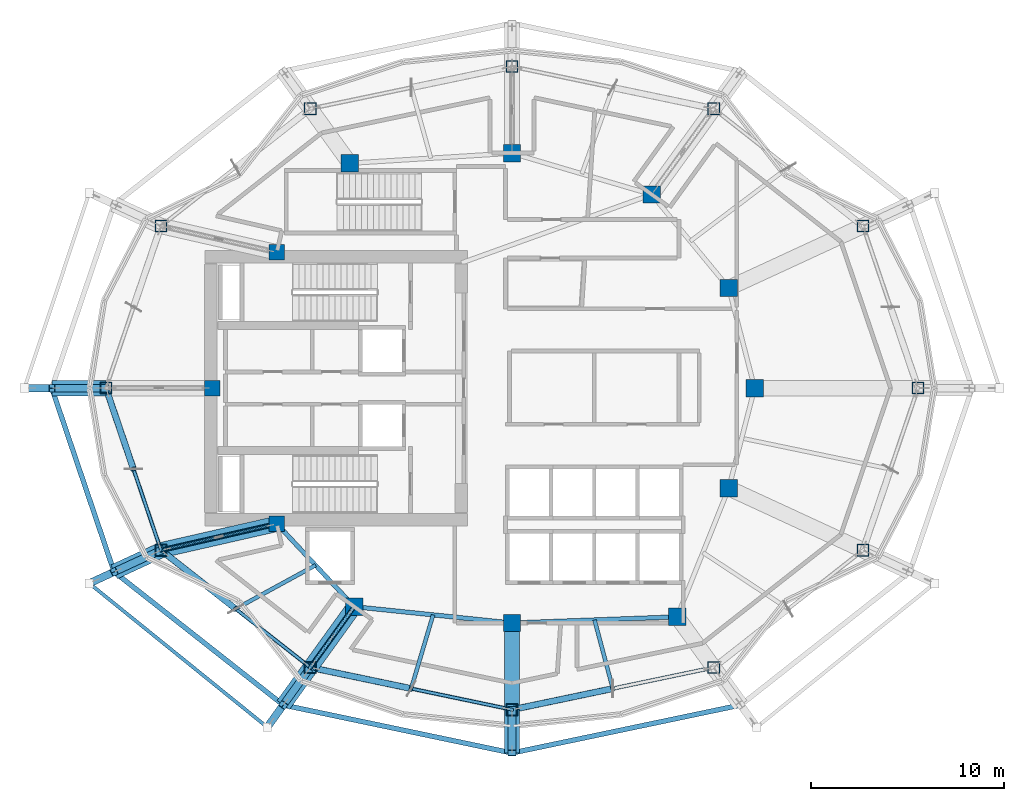
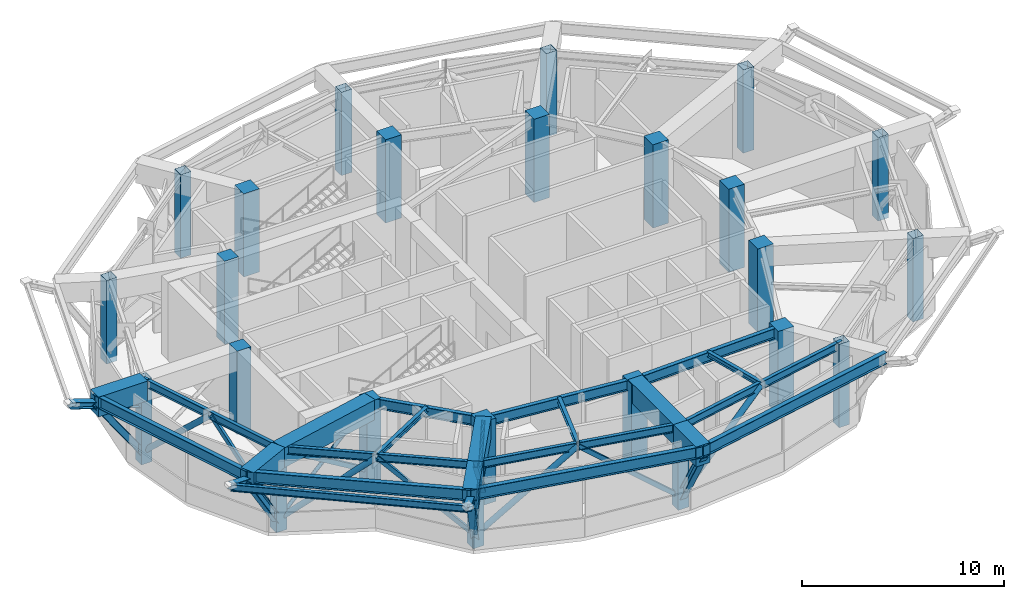
# One storey, part 1 of 13: 24 columns, 22 beams, 20 members.
"""IFC4 building model written with IfcOpenShell, lengths in metres."""

from ifc_helpers import new_model, si_unit, direction, frame, origin, origin_2d, place, context, subcontext, project, spatial, rectangle, hollow_rectangle, hollow_circle, i_section, extrude, material, material_profile, profile_set, type_object, element, save


model = new_model("IFC4")

# Units and contexts
model_context = context("Model", 3, precision=1e-05, world=origin(), true_north=direction((0.0, 1.0)))
body_context = subcontext(model_context, "Body", "Model", "MODEL_VIEW")
ifc_project = project(units=[si_unit("LENGTHUNIT", "METRE"), si_unit("AREAUNIT", "SQUARE_METRE"), si_unit("VOLUMEUNIT", "CUBIC_METRE"), si_unit("PLANEANGLEUNIT", "RADIAN"), si_unit("MASSUNIT", "GRAM", prefix="KILO")], contexts=[model_context])

# Site, building, storey
site_placement = place(None, origin())
site = spatial("IfcSite", under=ifc_project, at=site_placement, CompositionType="ELEMENT")
building_placement = place(site_placement, origin())
building = spatial("IfcBuilding", under=site, at=building_placement, Name="Kolvaren Gate Tower and Convention Centre", CompositionType="ELEMENT")
storey_placement = place(building_placement, frame((0.0, 0.0, 186.89990234375)))
storey = spatial("IfcBuildingStorey", under=building, at=storey_placement, Name="L49", CompositionType="ELEMENT", Elevation=186.89990234375)

# Columns
ifc_material_1 = material(Name="Structural steel ASTM A1085 Grade A 345 MPa", Category="steel")
ifc_material_profile_1 = material_profile(ifc_material_1, hollow_rectangle(XDim=0.610107421875, YDim=0.610107421875, WallThickness=0.025390625, at=origin_2d()), Name="HSS610X610X25.4")
ifc_profile_set_1 = profile_set([ifc_material_profile_1], Name="Structural steel ASTM A1085 Grade A 345 MPa")
column_type_1 = type_object("IfcColumnType", Name="STR-COL-HSS610", PredefinedType="COLUMN", material=ifc_profile_set_1)
for number, where, z_axis, x_axis, name in (
    (1, (51.21240234375, 27.0, -0.31982421875), (0.0, 0.0, 1.0), (1.0, 0.0, 0.0), "Tower L49 Perimeter Supercolumn TP-01"),
    (2, (48.351806640625, 35.418701171875, -0.31982421875), (0.0, 0.0, 1.0), (1.0, 0.0, 0.0), "Tower L49 Perimeter Supercolumn TP-02"),
    (3, (40.596435546875, 41.509521484375, -0.31982421875), (0.0, 0.0, 1.0), (1.0, 0.0, 0.0), "Tower L49 Perimeter Supercolumn TP-03"),
    (4, (30.125, 43.699951171875, -0.31982421875), (0.0, 0.0, 1.0), (1.0, 0.0, 0.0), "Tower L49 Perimeter Supercolumn TP-04"),
    (5, (19.65380859375, 41.509521484375, -0.31982421875), (0.0, 0.0, 1.0), (1.0, 0.0, 0.0), "Tower L49 Perimeter Supercolumn TP-05"),
    (6, (11.898193359375, 35.418701171875, -0.31982421875), (0.0, 0.0, 1.0), (1.0, 0.0, 0.0), "Tower L49 Perimeter Supercolumn TP-06"),
    (7, (9.03759765625, 27.0, -0.31982421875), (0.0, 0.0, 1.0), (1.0, 0.0, 0.0), "Tower L49 Perimeter Supercolumn TP-07"),
    (8, (11.898193359375, 18.581298828125, -0.31982421875), (0.0, 0.0, 1.0), (1.0, 0.0, 0.0), "Tower L49 Perimeter Supercolumn TP-08"),
    (9, (19.653564453125, 12.490478515625, -0.31982421875), (0.0, 0.0, 1.0), (1.0, 0.0, 0.0), "Tower L49 Perimeter Supercolumn TP-09"),
    (10, (30.125, 10.300048828125, -0.31982421875), (0.0, 0.0, 1.0), (1.0, 0.0, 0.0), "Tower L49 Perimeter Supercolumn TP-10"),
    (11, (40.596435546875, 12.490478515625, -0.31982421875), (0.0, 0.0, 1.0), (1.0, 0.0, 0.0), "Tower L49 Perimeter Supercolumn TP-11"),
    (12, (48.351806640625, 18.581298828125, -0.31982421875), (0.0, 0.0, 1.0), (1.0, 0.0, 0.0), "Tower L49 Perimeter Supercolumn TP-12"),
):
    element("IfcColumn", number, at=place(storey_placement, frame(where, z_axis=z_axis, x_axis=x_axis)), inside=storey, type_object=column_type_1, Name=name, PredefinedType="COLUMN", context=body_context, shape_type="SweptSolid", body=[
        extrude(hollow_rectangle(XDim=0.610107421875, YDim=0.610107421875, WallThickness=0.025390625, at=origin_2d()), origin(), (0.0, 0.0, 1.0), 5.0400390625),
    ])
ifc_material_2 = material(Name="Concrete C60/75", Category="concrete")
ifc_material_profile_2 = material_profile(ifc_material_2, rectangle(XDim=0.89990234375, YDim=0.89990234375, at=origin_2d()), Name="RC-COL-900X900")
ifc_profile_set_2 = profile_set([ifc_material_profile_2], Name="Concrete C60/75")
column_type_2 = type_object("IfcColumnType", Name="STR-COL-RC900", PredefinedType="COLUMN", material=ifc_profile_set_2)
for number, where, z_axis, x_axis, name in (
    (13, (42.72509765625, 27.0, -0.31982421875), (0.0, 0.0, 1.0), (1.0, 0.0, 0.0), "Tower L49 Interior Column TI-01"),
    (14, (41.382080078125, 32.199462890625, -0.31982421875), (0.0, 0.0, 1.0), (1.0, 0.0, 0.0), "Tower L49 Interior Column TI-02"),
    (15, (37.381591796875, 37.054931640625, -0.31982421875), (0.0, 0.0, 1.0), (1.0, 0.0, 0.0), "Tower L49 Interior Column TI-03"),
    (16, (30.125, 39.199951171875, -0.31982421875), (0.0, 0.0, 1.0), (1.0, 0.0, 0.0), "Tower L49 Interior Column TI-04"),
    (17, (21.697998046875, 38.6767578125, -0.31982421875), (0.0, 0.0, 1.0), (1.0, 0.0, 0.0), "Tower L49 Interior Column TI-05"),
    (18, (21.93212890625, 15.647705078125, -0.31982421875), (0.0, 0.0, 1.0), (1.0, 0.0, 0.0), "Tower L49 Interior Column TI-06"),
    (19, (30.125, 14.800048828125, -0.31982421875), (0.0, 0.0, 1.0), (1.0, 0.0, 0.0), "Tower L49 Interior Column TI-07"),
    (20, (38.6982421875, 15.12060546875, -0.31982421875), (0.0, 0.0, 1.0), (1.0, 0.0, 0.0), "Tower L49 Interior Column TI-08"),
    (21, (41.382080078125, 21.800537109375, -0.31982421875), (0.0, 0.0, 1.0), (1.0, 0.0, 0.0), "Tower L49 Interior Column TI-09"),
):
    element("IfcColumn", number, at=place(storey_placement, frame(where, z_axis=z_axis, x_axis=x_axis)), inside=storey, type_object=column_type_2, Name=name, PredefinedType="COLUMN", context=body_context, shape_type="SweptSolid", body=[
        extrude(rectangle(XDim=0.89990234375, YDim=0.89990234375, at=origin_2d()), origin(), (0.0, 0.0, 1.0), 5.0400390625),
    ])
ifc_material_profile_3 = material_profile(ifc_material_2, rectangle(XDim=0.800048828125, YDim=0.800048828125, at=origin_2d()), Name="RC-COL-800X800")
ifc_profile_set_3 = profile_set([ifc_material_profile_3], Name="Concrete C60/75")
column_type_3 = type_object("IfcColumnType", Name="STR-PIL-RC800", PredefinedType="PILASTER", material=ifc_profile_set_3)
for number, where, z_axis, x_axis, name in (
    (22, (17.9140625, 34.050048828125, -0.31982421875), (0.0, 0.0, 1.0), (1.0, 0.0, 0.0), "Tower L49 Core Boundary Pilaster TC-05"),
    (23, (14.550048828125, 27.0, -0.31982421875), (0.0, 0.0, 1.0), (1.0, 0.0, 0.0), "Tower L49 Core Boundary Pilaster TC-06"),
    (24, (17.9140625, 19.949951171875, -0.31982421875), (0.0, 0.0, 1.0), (1.0, 0.0, 0.0), "Tower L49 Core Boundary Pilaster TC-07"),
):
    element("IfcColumn", number, at=place(storey_placement, frame(where, z_axis=z_axis, x_axis=x_axis)), inside=storey, type_object=column_type_3, Name=name, PredefinedType="PILASTER", context=body_context, shape_type="SweptSolid", body=[
        extrude(rectangle(XDim=0.800048828125, YDim=0.800048828125, at=origin_2d()), origin(), (0.0, 0.0, 1.0), 5.0400390625),
    ])

# Beams
ifc_material_3 = material(Name="Structural steel ASTM A992 Grade 345 MPa", Category="steel")
ifc_material_profile_4 = material_profile(ifc_material_3, i_section(OverallWidth=0.22998046875, OverallDepth=0.616943359375, WebThickness=0.01318359375, FlangeThickness=0.022216796875, at=origin_2d()), Name="W610X140")
ifc_profile_set_4 = profile_set([ifc_material_profile_4], Name="Structural steel ASTM A992 Grade 345 MPa")
beam_type_1 = type_object("IfcBeamType", Name="STR-BM-W610X140", PredefinedType="BEAM", material=ifc_profile_set_4)
beam_1_placement = place(storey_placement, frame((17.9140625, 19.949951171875, 4.41162109375), z_axis=(0.682557592987, -0.730831808459, 0.0), x_axis=(0.730831808459, 0.682557592987, 0.0)))
element("IfcBeam", 25, at=beam_1_placement, inside=storey, type_object=beam_type_1, Name="Tower L49 Primary Ring Girder G-06", PredefinedType="BEAM", context=body_context, shape_type="SweptSolid", body=[
    extrude(i_section(OverallWidth=0.22998046875, OverallDepth=0.616943359375, WebThickness=0.01318359375, FlangeThickness=0.022216796875, at=origin_2d()), origin(), (0.0, 0.0, 1.0), 5.88671875),
])
beam_2_placement = place(storey_placement, frame((21.93212890625, 15.647705078125, 4.41162109375), z_axis=(0.994690329115, -0.102913308978, 0.0), x_axis=(0.102913308978, 0.994690329115, 0.0)))
element("IfcBeam", 26, at=beam_2_placement, inside=storey, type_object=beam_type_1, Name="Tower L49 Primary Ring Girder G-07", PredefinedType="BEAM", context=body_context, shape_type="SweptSolid", body=[
    extrude(i_section(OverallWidth=0.22998046875, OverallDepth=0.616943359375, WebThickness=0.01318359375, FlangeThickness=0.022216796875, at=origin_2d()), origin(), (0.0, 0.0, 1.0), 8.236572265625),
])
beam_3_placement = place(storey_placement, frame((30.125, 14.800048828125, 4.41162109375), z_axis=(0.999301712453, 0.037364254142, 0.0), x_axis=(-0.037364254142, 0.999301712453, 0.0)))
element("IfcBeam", 27, at=beam_3_placement, inside=storey, type_object=beam_type_1, Name="Tower L49 Primary Ring Girder G-08", PredefinedType="BEAM", context=body_context, shape_type="SweptSolid", body=[
    extrude(i_section(OverallWidth=0.22998046875, OverallDepth=0.616943359375, WebThickness=0.01318359375, FlangeThickness=0.022216796875, at=origin_2d()), origin(), (0.0, 0.0, 1.0), 8.579345703125),
])
ifc_material_profile_5 = material_profile(ifc_material_3, i_section(OverallWidth=0.256103515625, OverallDepth=0.693115234375, WebThickness=0.014404296875, FlangeThickness=0.023681640625, at=origin_2d()), Name="W690X170")
ifc_profile_set_5 = profile_set([ifc_material_profile_5], Name="Structural steel ASTM A992 Grade 345 MPa")
beam_type_2 = type_object("IfcBeamType", Name="STR-BM-W690X170", PredefinedType="BEAM", material=ifc_profile_set_5)
beam_4_placement = place(storey_placement, frame((6.22509765625, 27.0, 4.37353515625), z_axis=(0.321252507379, -0.946993572577, 0.0), x_axis=(0.946993572577, 0.321252507379, 0.0)))
element("IfcBeam", 28, at=beam_4_placement, inside=storey, type_object=beam_type_2, Name="Tower L49 Flare Perimeter Edge Girder FSP-07", PredefinedType="BEAM", context=body_context, shape_type="SweptSolid", body=[
    extrude(i_section(OverallWidth=0.256103515625, OverallDepth=0.693115234375, WebThickness=0.014404296875, FlangeThickness=0.023681640625, at=origin_2d()), origin(), (0.0, 0.0, 1.0), 10.077880859375),
])
beam_5_placement = place(storey_placement, frame((9.462646484375, 17.456298828125, 4.37353515625), z_axis=(0.78579365551, -0.618488747643, 0.0), x_axis=(0.618488747643, 0.78579365551, 0.0)))
element("IfcBeam", 29, at=beam_5_placement, inside=storey, type_object=beam_type_2, Name="Tower L49 Flare Perimeter Edge Girder FSP-08", PredefinedType="BEAM", context=body_context, shape_type="SweptSolid", body=[
    extrude(i_section(OverallWidth=0.256103515625, OverallDepth=0.693115234375, WebThickness=0.014404296875, FlangeThickness=0.023681640625, at=origin_2d()), origin(), (0.0, 0.0, 1.0), 11.179443359375),
])
for number, where, z_axis, x_axis, name in (
    (30, (18.247314453125, 10.5419921875, 4.37353515625), (0.978692765917, -0.205330148645, 0.0), (0.205330148645, 0.978692765917, 0.0), "Tower L49 Flare Perimeter Edge Girder FSP-09"),
    (31, (30.125, 8.050048828125, 4.37353515625), (0.978692765917, 0.205330148645, 0.0), (-0.205330148645, 0.978692765917, 0.0), "Tower L49 Flare Perimeter Edge Girder FSP-10"),
):
    element("IfcBeam", number, at=place(storey_placement, frame(where, z_axis=z_axis, x_axis=x_axis)), inside=storey, type_object=beam_type_2, Name=name, PredefinedType="BEAM", context=body_context, shape_type="SweptSolid", body=[
        extrude(i_section(OverallWidth=0.256103515625, OverallDepth=0.693115234375, WebThickness=0.014404296875, FlangeThickness=0.023681640625, at=origin_2d()), origin(), (0.0, 0.0, 1.0), 12.13623046875),
    ])

# Members
ifc_material_4 = material(Name="Structural steel ASTM A500 Grade C 345 MPa", Category="steel")
ifc_material_profile_6 = material_profile(ifc_material_4, hollow_circle(Radius=0.162109375, WallThickness=0.015869140625, at=origin_2d()), Name="CHS324X15.9")
ifc_profile_set_6 = profile_set([ifc_material_profile_6], Name="Structural steel ASTM A500 Grade C 345 MPa")
member_type_1 = type_object("IfcMemberType", Name="STR-BR-CHS324", PredefinedType="BRACE", material=ifc_profile_set_6)
member_1_placement = place(storey_placement, frame((9.03759765625, 27.0, 0.25), z_axis=(0.232953891756, -0.6855023123, 0.689796393254), x_axis=(0.946821940386, 0.321758004102, 0.0)))
element("IfcMember", 32, at=member_1_placement, inside=storey, type_object=member_type_1, Name="Perimeter Belt Truss Diagonal BT-L49-07A", PredefinedType="BRACE", context=body_context, shape_type="SweptSolid", body=[
    extrude(hollow_circle(Radius=0.162109375, WallThickness=0.015869140625, at=origin_2d()), origin(), (0.0, 0.0, 1.0), 6.140380859375),
])
member_2_placement = place(storey_placement, frame((11.898193359375, 18.581298828125, 0.25), z_axis=(0.596558258833, -0.468517768727, 0.65162055232), x_axis=(0.617653154697, 0.786450621777, 0.0)))
element("IfcMember", 33, at=member_2_placement, inside=storey, type_object=member_type_1, Name="Perimeter Belt Truss Diagonal BT-L49-08A", PredefinedType="BRACE", context=body_context, shape_type="SweptSolid", body=[
    extrude(hollow_circle(Radius=0.162109375, WallThickness=0.015869140625, at=origin_2d()), origin(), (0.0, 0.0, 1.0), 6.5),
])
member_3_placement = place(storey_placement, frame((19.653564453125, 12.490478515625, 0.25), z_axis=(0.767377133118, -0.160517290831, 0.620778974283), x_axis=(0.204745195671, 0.978815306812, 0.0)))
element("IfcMember", 34, at=member_3_placement, inside=storey, type_object=member_type_1, Name="Perimeter Belt Truss Diagonal BT-L49-09A", PredefinedType="BRACE", context=body_context, shape_type="SweptSolid", body=[
    extrude(hollow_circle(Radius=0.162109375, WallThickness=0.015869140625, at=origin_2d()), origin(), (0.0, 0.0, 1.0), 6.822998046875),
])
member_4_placement = place(storey_placement, frame((30.125, 10.300048828125, 0.25), z_axis=(0.767362421445, 0.160521698419, 0.620796020035), x_axis=(-0.204754342865, 0.978813393389, 0.0)))
element("IfcMember", 35, at=member_4_placement, inside=storey, type_object=member_type_1, Name="Perimeter Belt Truss Diagonal BT-L49-10A", PredefinedType="BRACE", context=body_context, shape_type="SweptSolid", body=[
    extrude(hollow_circle(Radius=0.162109375, WallThickness=0.015869140625, at=origin_2d()), origin(), (0.0, 0.0, 1.0), 6.82275390625),
])
ifc_material_profile_7 = material_profile(ifc_material_4, hollow_rectangle(XDim=0.152099609375, YDim=0.25390625, WallThickness=0.009521484375, at=origin_2d()), Name="HSS254X152X9.5")
ifc_profile_set_7 = profile_set([ifc_material_profile_7], Name="Structural steel ASTM A500 Grade C 345 MPa")
member_type_2 = type_object("IfcMemberType", Name="STR-BR-HSS254X152", PredefinedType="BRACE", material=ifc_profile_set_7)
member_5_placement = place(storey_placement, frame((11.898193359375, 18.581298828125, 0.25), z_axis=(-0.232909940592, 0.685529736374, 0.689783980765), x_axis=(-0.946844353058, -0.321692043859, 0.0)))
element("IfcMember", 36, at=member_5_placement, inside=storey, type_object=member_type_2, Name="Perimeter Belt Truss Diagonal BT-L49-07B", PredefinedType="BRACE", context=body_context, shape_type="SweptSolid", body=[
    extrude(hollow_rectangle(XDim=0.152099609375, YDim=0.25390625, WallThickness=0.009521484375, at=origin_2d()), origin(), (0.0, 0.0, 1.0), 6.140380859375),
])
member_6_placement = place(storey_placement, frame((19.653564453125, 12.490478515625, 0.25), z_axis=(-0.596558258833, 0.468517768727, 0.65162055232), x_axis=(-0.617653154697, -0.786450621777, 0.0)))
element("IfcMember", 37, at=member_6_placement, inside=storey, type_object=member_type_2, Name="Perimeter Belt Truss Diagonal BT-L49-08B", PredefinedType="BRACE", context=body_context, shape_type="SweptSolid", body=[
    extrude(hollow_rectangle(XDim=0.152099609375, YDim=0.25390625, WallThickness=0.009521484375, at=origin_2d()), origin(), (0.0, 0.0, 1.0), 6.5),
])
member_7_placement = place(storey_placement, frame((30.125, 10.300048828125, 0.25), z_axis=(-0.767362421445, 0.160521698419, 0.620796020035), x_axis=(-0.204754342865, -0.978813393389, 0.0)))
element("IfcMember", 38, at=member_7_placement, inside=storey, type_object=member_type_2, Name="Perimeter Belt Truss Diagonal BT-L49-09B", PredefinedType="BRACE", context=body_context, shape_type="SweptSolid", body=[
    extrude(hollow_rectangle(XDim=0.152099609375, YDim=0.25390625, WallThickness=0.009521484375, at=origin_2d()), origin(), (0.0, 0.0, 1.0), 6.82275390625),
])
ifc_material_profile_8 = material_profile(ifc_material_4, hollow_rectangle(XDim=0.25390625, YDim=0.25390625, WallThickness=0.015869140625, at=origin_2d()), Name="HSS254X254X15.9")
ifc_profile_set_8 = profile_set([ifc_material_profile_8], Name="Structural steel ASTM A500 Grade C 345 MPa")
member_type_3 = type_object("IfcMemberType", Name="STR-BR-HSS254X254", PredefinedType="BRACE", material=ifc_profile_set_8)
member_8_placement = place(storey_placement, frame((17.9140625, 19.949951171875, 0.25), z_axis=(-0.803874458901, -0.182887066945, 0.565984253377), x_axis=(0.221838314226, -0.975083464295, 0.0)))
element("IfcMember", 39, at=member_8_placement, inside=storey, type_object=member_type_3, Name="Outrigger Truss Diagonal OT-L49-03A", PredefinedType="BRACE", context=body_context, shape_type="SweptSolid", body=[
    extrude(hollow_rectangle(XDim=0.25390625, YDim=0.25390625, WallThickness=0.015869140625, at=origin_2d()), origin(), (0.0, 0.0, 1.0), 7.483642578125),
])
member_9_placement = place(storey_placement, frame((21.93212890625, 15.647705078125, 0.25), z_axis=(-0.39604630546, -0.548770044166, 0.736205652354), x_axis=(0.810880899672, -0.585211215329, 0.0)))
element("IfcMember", 40, at=member_9_placement, inside=storey, type_object=member_type_3, Name="Outrigger Truss Diagonal OT-L49-06A", PredefinedType="BRACE", context=body_context, shape_type="SweptSolid", body=[
    extrude(hollow_rectangle(XDim=0.25390625, YDim=0.25390625, WallThickness=0.015869140625, at=origin_2d()), origin(), (0.0, 0.0, 1.0), 5.753173828125),
])
ifc_material_profile_9 = material_profile(ifc_material_3, i_section(OverallWidth=0.39501953125, OverallDepth=0.3798828125, WebThickness=0.018798828125, FlangeThickness=0.0302734375, at=origin_2d()), Name="W360X237")
ifc_profile_set_9 = profile_set([ifc_material_profile_9], Name="Structural steel ASTM A992 Grade 345 MPa")
member_type_4 = type_object("IfcMemberType", Name="STR-CH-W360X237", PredefinedType="CHORD", material=ifc_profile_set_9)
member_10_placement = place(storey_placement, frame((9.03759765625, 27.0, 0.10009765625), z_axis=(-0.573255263765, 0.0, 0.819376837948), x_axis=(0.0, -1.0, 0.0)))
element("IfcMember", 41, at=member_10_placement, inside=storey, type_object=member_type_4, Name="Waist Flare Inclined Transfer Strut FTS-07", PredefinedType="CHORD", context=body_context, shape_type="SweptSolid", body=[
    extrude(i_section(OverallWidth=0.39501953125, OverallDepth=0.3798828125, WebThickness=0.018798828125, FlangeThickness=0.0302734375, at=origin_2d()), origin(), (0.0, 0.0, 1.0), 4.90625),
])
member_11_placement = place(storey_placement, frame((11.898193359375, 18.581298828125, 0.10009765625), z_axis=(-0.503939045446, -0.232773769187, 0.831782309774), x_axis=(0.41933515781, -0.907831496162, 0.0)))
element("IfcMember", 42, at=member_11_placement, inside=storey, type_object=member_type_4, Name="Waist Flare Inclined Transfer Strut FTS-08", PredefinedType="CHORD", context=body_context, shape_type="SweptSolid", body=[
    extrude(i_section(OverallWidth=0.39501953125, OverallDepth=0.3798828125, WebThickness=0.018798828125, FlangeThickness=0.0302734375, at=origin_2d()), origin(), (0.0, 0.0, 1.0), 4.8330078125),
])
member_12_placement = place(storey_placement, frame((19.653564453125, 12.490478515625, 0.10009765625), z_axis=(-0.30025948463, -0.416036622713, 0.858345950332), x_axis=(0.810874759264, -0.585219723513, 0.0)))
element("IfcMember", 43, at=member_12_placement, inside=storey, type_object=member_type_4, Name="Waist Flare Inclined Transfer Strut FTS-09", PredefinedType="CHORD", context=body_context, shape_type="SweptSolid", body=[
    extrude(i_section(OverallWidth=0.39501953125, OverallDepth=0.3798828125, WebThickness=0.018798828125, FlangeThickness=0.0302734375, at=origin_2d()), origin(), (0.0, 0.0, 1.0), 4.683349609375),
])
member_13_placement = place(storey_placement, frame((30.125, 10.300048828125, 0.10009765625), z_axis=(0.0, -0.488403252613, 0.872618050946), x_axis=(1.0, 0.0, 0.0)))
element("IfcMember", 44, at=member_13_placement, inside=storey, type_object=member_type_4, Name="Waist Flare Inclined Transfer Strut FTS-10", PredefinedType="CHORD", context=body_context, shape_type="SweptSolid", body=[
    extrude(i_section(OverallWidth=0.39501953125, OverallDepth=0.3798828125, WebThickness=0.018798828125, FlangeThickness=0.0302734375, at=origin_2d()), origin(), (0.0, 0.0, 1.0), 4.60693359375),
])
member_14_placement = place(storey_placement, frame((9.03759765625, 27.0, 3.170166015625), z_axis=(-0.950055194277, 0.0, 0.312081924866), x_axis=(0.0, -1.0, 0.0)))
element("IfcMember", 45, at=member_14_placement, inside=storey, type_object=member_type_4, Name="Tower L50 Planted Balcony Inclined Outrigger Strut BBRK-2B", PredefinedType="CHORD", context=body_context, shape_type="SweptSolid", body=[
    extrude(i_section(OverallWidth=0.39501953125, OverallDepth=0.3798828125, WebThickness=0.018798828125, FlangeThickness=0.0302734375, at=origin_2d()), origin(), (0.0, 0.0, 1.0), 4.455078125),
])
member_15_placement = place(storey_placement, frame((11.898193359375, 18.581298828125, 3.170166015625), z_axis=(-0.85981753301, -0.397107651913, 0.32096623299), x_axis=(0.419292130897, -0.907851369425, 0.0)))
element("IfcMember", 46, at=member_15_placement, inside=storey, type_object=member_type_4, Name="Tower L50 Planted Balcony Inclined Outrigger Strut BBRK-3A", PredefinedType="CHORD", context=body_context, shape_type="SweptSolid", body=[
    extrude(i_section(OverallWidth=0.39501953125, OverallDepth=0.3798828125, WebThickness=0.018798828125, FlangeThickness=0.0302734375, at=origin_2d()), origin(), (0.0, 0.0, 1.0), 4.331787109375),
])
member_16_placement = place(storey_placement, frame((19.653564453125, 12.490478515625, 3.170166015625), z_axis=(-0.549923528754, -0.76207890081, 0.341789206183), x_axis=(0.810914919592, -0.58516407373, 0.0)))
element("IfcMember", 47, at=member_16_placement, inside=storey, type_object=member_type_4, Name="Tower L50 Planted Balcony Inclined Outrigger Strut BBRK-3B", PredefinedType="CHORD", context=body_context, shape_type="SweptSolid", body=[
    extrude(i_section(OverallWidth=0.39501953125, OverallDepth=0.3798828125, WebThickness=0.018798828125, FlangeThickness=0.0302734375, at=origin_2d()), origin(), (0.0, 0.0, 1.0), 4.06787109375),
])

# Beams
ifc_material_profile_10 = material_profile(ifc_material_3, i_section(OverallWidth=0.205078125, OverallDepth=0.31005859375, WebThickness=0.009521484375, FlangeThickness=0.016357421875, at=origin_2d()), Name="W310X74")
ifc_profile_set_10 = profile_set([ifc_material_profile_10], Name="Structural steel ASTM A992 Grade 345 MPa")
beam_type_3 = type_object("IfcBeamType", Name="STR-JS-W310X74", PredefinedType="JOIST", material=ifc_profile_set_10)
beam_6_placement = place(storey_placement, frame((19.923095703125, 17.798828125, 4.565185546875), z_axis=(-0.877822491981, -0.478986088078, 0.0), x_axis=(0.478986088078, -0.877822491981, 0.0)))
element("IfcBeam", 48, at=beam_6_placement, inside=storey, type_object=beam_type_3, Name="Tower L49 Secondary Composite Floor Joist J-08.1", PredefinedType="JOIST", context=body_context, shape_type="SweptSolid", body=[
    extrude(i_section(OverallWidth=0.205078125, OverallDepth=0.31005859375, WebThickness=0.009521484375, FlangeThickness=0.016357421875, at=origin_2d()), origin(), (0.0, 0.0, 1.0), 4.724365234375),
])
beam_7_placement = place(storey_placement, frame((26.028564453125, 15.223876953125, 4.565185546875), z_axis=(-0.28518274301, -0.958473162425, 0.0), x_axis=(0.958473162425, -0.28518274301, 0.0)))
element("IfcBeam", 49, at=beam_7_placement, inside=storey, type_object=beam_type_3, Name="Tower L49 Secondary Composite Floor Joist J-09.1", PredefinedType="JOIST", context=body_context, shape_type="SweptSolid", body=[
    extrude(i_section(OverallWidth=0.205078125, OverallDepth=0.31005859375, WebThickness=0.009521484375, FlangeThickness=0.016357421875, at=origin_2d()), origin(), (0.0, 0.0, 1.0), 3.994384765625),
])
beam_8_placement = place(storey_placement, frame((34.41162109375, 14.960205078125, 4.565185546875), z_axis=(0.257238365181, -0.966347982602, 0.0), x_axis=(0.966347982602, 0.257238365181, 0.0)))
element("IfcBeam", 50, at=beam_8_placement, inside=storey, type_object=beam_type_3, Name="Tower L49 Secondary Composite Floor Joist J-10.1", PredefinedType="JOIST", context=body_context, shape_type="SweptSolid", body=[
    extrude(i_section(OverallWidth=0.205078125, OverallDepth=0.31005859375, WebThickness=0.009521484375, FlangeThickness=0.016357421875, at=origin_2d()), origin(), (0.0, 0.0, 1.0), 3.68896484375),
])
ifc_material_profile_11 = material_profile(ifc_material_3, i_section(OverallWidth=0.180908203125, OverallDepth=0.4169921875, WebThickness=0.010986328125, FlangeThickness=0.018310546875, at=origin_2d()), Name="W410X85")
ifc_profile_set_11 = profile_set([ifc_material_profile_11], Name="Structural steel ASTM A992 Grade 345 MPa")
beam_type_4 = type_object("IfcBeamType", Name="STR-SP-W410X85", PredefinedType="SPANDREL", material=ifc_profile_set_11)
beam_9_placement = place(storey_placement, frame((8.173583984375, 16.861083984375, 4.51220703125), z_axis=(0.777724470528, -0.62860531969, 0.0), x_axis=(0.62860531969, 0.777724470528, 0.0)))
element("IfcBeam", 51, at=beam_9_placement, inside=storey, type_object=beam_type_4, Name="Tower L50 Planted Balcony Header Tie Beam BT-3", PredefinedType="SPANDREL", context=body_context, shape_type="SweptSolid", body=[
    extrude(i_section(OverallWidth=0.180908203125, OverallDepth=0.4169921875, WebThickness=0.010986328125, FlangeThickness=0.018310546875, at=origin_2d()), origin(), (0.0, 0.0, 1.0), 11.884521484375),
])
ifc_material_profile_12 = material_profile(ifc_material_3, i_section(OverallWidth=0.194091796875, OverallDepth=0.468994140625, WebThickness=0.0126953125, FlangeThickness=0.0205078125, at=origin_2d()), Name="W460X106")
ifc_profile_set_12 = profile_set([ifc_material_profile_12], Name="Structural steel ASTM A992 Grade 345 MPa")
beam_type_5 = type_object("IfcBeamType", Name="STR-SP-W460X106", PredefinedType="SPANDREL", material=ifc_profile_set_12)
beam_10_placement = place(storey_placement, frame((9.03759765625, 27.0, 4.485595703125), z_axis=(0.321725023609, -0.946833147489, 0.0), x_axis=(0.946833147489, 0.321725023609, 0.0)))
element("IfcBeam", 52, at=beam_10_placement, inside=storey, type_object=beam_type_5, Name="Tower L49 Perimeter Spandrel Beam SP-07", PredefinedType="SPANDREL", context=body_context, shape_type="SweptSolid", body=[
    extrude(i_section(OverallWidth=0.194091796875, OverallDepth=0.468994140625, WebThickness=0.0126953125, FlangeThickness=0.0205078125, at=origin_2d()), origin(), (0.0, 0.0, 1.0), 8.891357421875),
])
beam_11_placement = place(storey_placement, frame((11.898193359375, 18.581298828125, 4.485595703125), z_axis=(0.786450621777, -0.617653154697, 0.0), x_axis=(0.617653154697, 0.786450621777, 0.0)))
element("IfcBeam", 53, at=beam_11_placement, inside=storey, type_object=beam_type_5, Name="Tower L49 Perimeter Spandrel Beam SP-08", PredefinedType="SPANDREL", context=body_context, shape_type="SweptSolid", body=[
    extrude(i_section(OverallWidth=0.194091796875, OverallDepth=0.468994140625, WebThickness=0.0126953125, FlangeThickness=0.0205078125, at=origin_2d()), origin(), (0.0, 0.0, 1.0), 9.861328125),
])
for number, where, z_axis, x_axis, name in (
    (54, (19.653564453125, 12.490478515625, 4.485595703125), (0.978814350133, -0.204749769168, 0.0), (0.204749769168, 0.978814350133, 0.0), "Tower L49 Perimeter Spandrel Beam SP-09"),
    (55, (30.125, 10.300048828125, 4.485595703125), (0.978814350133, 0.204749769168, 0.0), (-0.204749769168, 0.978814350133, 0.0), "Tower L49 Perimeter Spandrel Beam SP-10"),
):
    element("IfcBeam", number, at=place(storey_placement, frame(where, z_axis=z_axis, x_axis=x_axis)), inside=storey, type_object=beam_type_5, Name=name, PredefinedType="SPANDREL", context=body_context, shape_type="SweptSolid", body=[
        extrude(i_section(OverallWidth=0.194091796875, OverallDepth=0.468994140625, WebThickness=0.0126953125, FlangeThickness=0.0205078125, at=origin_2d()), origin(), (0.0, 0.0, 1.0), 10.697998046875),
    ])

# Members
ifc_material_profile_13 = material_profile(ifc_material_4, hollow_circle(Radius=0.109619140625, WallThickness=0.0126953125, at=origin_2d()), Name="CHS219X12.7")
ifc_profile_set_13 = profile_set([ifc_material_profile_13], Name="Structural steel ASTM A500 Grade C 345 MPa")
member_type_5 = type_object("IfcMemberType", Name="STR-ST-CHS219", PredefinedType="STRUT", material=ifc_profile_set_13)
member_17_placement = place(storey_placement, frame((11.898193359375, 18.581298828125, 0.25), z_axis=(0.803871157684, 0.182878894163, 0.5659915829), x_axis=(-0.221829754783, 0.975085411589, 0.0)))
element("IfcMember", 56, at=member_17_placement, inside=storey, type_object=member_type_5, Name="Outrigger Truss Lower Counter-Strut OT-L49-03BA", PredefinedType="STRUT", context=body_context, shape_type="SweptSolid", body=[
    extrude(hollow_circle(Radius=0.109619140625, WallThickness=0.0126953125, at=origin_2d()), origin(), (0.0, 0.0, 1.0), 3.741943359375),
])
member_18_placement = place(storey_placement, frame((14.90625, 19.265625, 2.367919921875), z_axis=(0.803877760307, 0.182895240434, 0.565976923125), x_axis=(-0.221846874312, 0.975081516776, 0.0)))
element("IfcMember", 57, at=member_18_placement, inside=storey, type_object=member_type_5, Name="Outrigger Truss Upper Counter-Strut OT-L49-03BB", PredefinedType="STRUT", context=body_context, shape_type="SweptSolid", body=[
    extrude(hollow_circle(Radius=0.109619140625, WallThickness=0.0126953125, at=origin_2d()), origin(), (0.0, 0.0, 1.0), 3.74169921875),
])
member_19_placement = place(storey_placement, frame((19.653564453125, 12.490478515625, 0.25), z_axis=(0.396069710224, 0.548743678233, 0.736212713991), x_axis=(-0.810851144638, 0.585252442318, 0.0)))
element("IfcMember", 58, at=member_19_placement, inside=storey, type_object=member_type_5, Name="Outrigger Truss Lower Counter-Strut OT-L49-06BA", PredefinedType="STRUT", context=body_context, shape_type="SweptSolid", body=[
    extrude(hollow_circle(Radius=0.109619140625, WallThickness=0.0126953125, at=origin_2d()), origin(), (0.0, 0.0, 1.0), 2.876708984375),
])
member_20_placement = place(storey_placement, frame((20.79296875, 14.069091796875, 2.367919921875), z_axis=(0.396022897933, 0.548796411924, 0.736198589086), x_axis=(-0.810910654793, 0.585169983802, 0.0)))
element("IfcMember", 59, at=member_20_placement, inside=storey, type_object=member_type_5, Name="Outrigger Truss Upper Counter-Strut OT-L49-06BB", PredefinedType="STRUT", context=body_context, shape_type="SweptSolid", body=[
    extrude(hollow_circle(Radius=0.109619140625, WallThickness=0.0126953125, at=origin_2d()), origin(), (0.0, 0.0, 1.0), 2.87646484375),
])

# Beams
ifc_material_5 = material(Name="Concrete C70/85", Category="concrete")
ifc_material_profile_14 = material_profile(ifc_material_5, rectangle(XDim=0.800048828125, YDim=1.199951171875, at=origin_2d()), Name="RC-BM-800X1200")
ifc_profile_set_14 = profile_set([ifc_material_profile_14], Name="Concrete C70/85")
beam_type_6 = type_object("IfcBeamType", Name="STR-TG-RC800X1200", PredefinedType="USERDEFINED", material=ifc_profile_set_14)
beam_12_placement = place(storey_placement, frame((9.03759765625, 27.0, 4.12060546875), z_axis=(-1.0, 0.0, 0.0), x_axis=(0.0, -1.0, 0.0)))
element("IfcBeam", 60, at=beam_12_placement, inside=storey, type_object=beam_type_6, Name="Tower L49 Zone-Transition Radial Transfer Girder XFG-07B", ObjectType="TRANSFER GIRDER", PredefinedType="USERDEFINED", context=body_context, shape_type="SweptSolid", body=[
    extrude(rectangle(XDim=0.800048828125, YDim=1.199951171875, at=origin_2d()), origin(), (0.0, 0.0, 1.0), 2.8125),
])
beam_13_placement = place(storey_placement, frame((17.9140625, 19.949951171875, 4.12060546875), z_axis=(-0.975083464295, -0.221838314226, 0.0), x_axis=(0.221838314226, -0.975083464295, 0.0)))
element("IfcBeam", 61, at=beam_13_placement, inside=storey, type_object=beam_type_6, Name="Tower L49 Zone-Transition Radial Transfer Girder XFG-08A", ObjectType="TRANSFER GIRDER", PredefinedType="USERDEFINED", context=body_context, shape_type="SweptSolid", body=[
    extrude(rectangle(XDim=0.800048828125, YDim=1.199951171875, at=origin_2d()), origin(), (0.0, 0.0, 1.0), 6.169677734375),
])
beam_14_placement = place(storey_placement, frame((11.898193359375, 18.581298828125, 4.12060546875), z_axis=(-0.907831496162, -0.41933515781, 0.0), x_axis=(0.41933515781, -0.907831496162, 0.0)))
element("IfcBeam", 62, at=beam_14_placement, inside=storey, type_object=beam_type_6, Name="Tower L49 Zone-Transition Radial Transfer Girder XFG-08B", ObjectType="TRANSFER GIRDER", PredefinedType="USERDEFINED", context=body_context, shape_type="SweptSolid", body=[
    extrude(rectangle(XDim=0.800048828125, YDim=1.199951171875, at=origin_2d()), origin(), (0.0, 0.0, 1.0), 2.682861328125),
])
beam_15_placement = place(storey_placement, frame((21.93212890625, 15.647705078125, 4.12060546875), z_axis=(-0.585211215329, -0.810880899672, 0.0), x_axis=(0.810880899672, -0.585211215329, 0.0)))
element("IfcBeam", 63, at=beam_15_placement, inside=storey, type_object=beam_type_6, Name="Tower L49 Zone-Transition Radial Transfer Girder XFG-09A", ObjectType="TRANSFER GIRDER", PredefinedType="USERDEFINED", context=body_context, shape_type="SweptSolid", body=[
    extrude(rectangle(XDim=0.800048828125, YDim=1.199951171875, at=origin_2d()), origin(), (0.0, 0.0, 1.0), 3.8935546875),
])
beam_16_placement = place(storey_placement, frame((19.653564453125, 12.490478515625, 4.12060546875), z_axis=(-0.585219723513, -0.810874759264, 0.0), x_axis=(0.810874759264, -0.585219723513, 0.0)))
element("IfcBeam", 64, at=beam_16_placement, inside=storey, type_object=beam_type_6, Name="Tower L49 Zone-Transition Radial Transfer Girder XFG-09B", ObjectType="TRANSFER GIRDER", PredefinedType="USERDEFINED", context=body_context, shape_type="SweptSolid", body=[
    extrude(rectangle(XDim=0.800048828125, YDim=1.199951171875, at=origin_2d()), origin(), (0.0, 0.0, 1.0), 2.40283203125),
])
beam_17_placement = place(storey_placement, frame((30.125, 14.800048828125, 4.12060546875), z_axis=(0.0, -1.0, 0.0), x_axis=(1.0, 0.0, 0.0)))
element("IfcBeam", 65, at=beam_17_placement, inside=storey, type_object=beam_type_6, Name="Tower L49 Zone-Transition Radial Transfer Girder XFG-10A", ObjectType="TRANSFER GIRDER", PredefinedType="USERDEFINED", context=body_context, shape_type="SweptSolid", body=[
    extrude(rectangle(XDim=0.800048828125, YDim=1.199951171875, at=origin_2d()), origin(), (0.0, 0.0, 1.0), 4.5),
])
beam_18_placement = place(storey_placement, frame((30.125, 10.300048828125, 4.12060546875), z_axis=(0.0, -1.0, 0.0), x_axis=(1.0, 0.0, 0.0)))
element("IfcBeam", 66, at=beam_18_placement, inside=storey, type_object=beam_type_6, Name="Tower L49 Zone-Transition Radial Transfer Girder XFG-10B", ObjectType="TRANSFER GIRDER", PredefinedType="USERDEFINED", context=body_context, shape_type="SweptSolid", body=[
    extrude(rectangle(XDim=0.800048828125, YDim=1.199951171875, at=origin_2d()), origin(), (0.0, 0.0, 1.0), 2.25),
])

save(model, "model.ifc")
